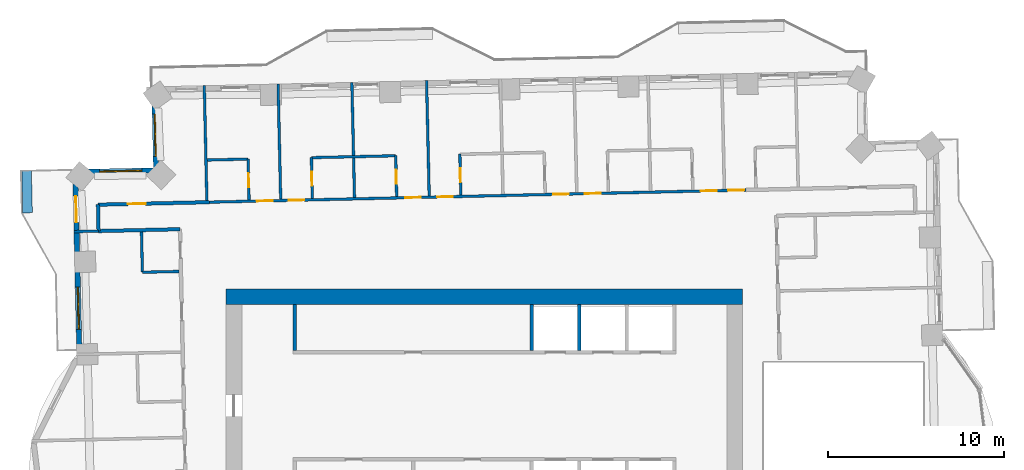
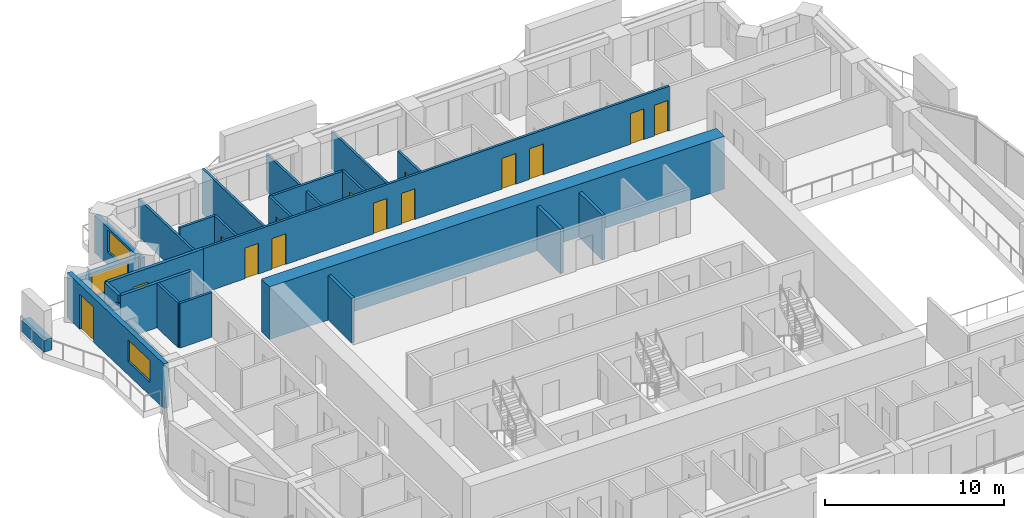
# One storey, part 10 of 16: 25 walls, 14 doors, 3 windows, 17 openings.
"""IFC4 building model written with IfcOpenShell, lengths in metres."""

from ifc_helpers import new_model, si_unit, direction, frame, frame_2d, origin, place, context, subcontext, project, spatial, rectangle, extrude, material, layer, layer_set, type_object, element, fill, save


model = new_model("IFC4")

# Units and contexts
model_context = context("Model", 3, precision=1e-05, world=origin(), true_north=direction((0.0, 1.0)))
body_context = subcontext(model_context, "Body", "Model", "MODEL_VIEW")
ifc_project = project(units=[si_unit("LENGTHUNIT", "METRE"), si_unit("AREAUNIT", "SQUARE_METRE"), si_unit("VOLUMEUNIT", "CUBIC_METRE"), si_unit("PLANEANGLEUNIT", "RADIAN"), si_unit("MASSUNIT", "GRAM", prefix="KILO")], contexts=[model_context])

# Site, building, storey
site_placement = place(None, origin())
site = spatial("IfcSite", under=ifc_project, at=site_placement, CompositionType="ELEMENT")
building_placement = place(site_placement, origin())
building = spatial("IfcBuilding", under=site, at=building_placement, Name="Mangrove Gate Tower", CompositionType="ELEMENT")
storey_placement = place(building_placement, frame((0.0, 0.0, 189.699951171875)))
storey = spatial("IfcBuildingStorey", under=building, at=storey_placement, Name="L48", CompositionType="ELEMENT", Elevation=189.699951171875)

# Walls
ifc_material_1 = material(Name="Concrete C32/40", Category="concrete")
ifc_layer_1 = layer(ifc_material_1, 0.199951171875)
ifc_layer_set_1 = layer_set([ifc_layer_1], Name="Core room wall 200 C32/40")
wall_type_1 = type_object("IfcWallType", Name="Core room wall 200 C32/40", PredefinedType="STANDARD", material=ifc_layer_set_1)
wall_1_placement = place(storey_placement, frame((-10.800048828125, 8.199951171875, 0.0), z_axis=(0.0, 0.0, 1.0), x_axis=(0.0, 1.0, 0.0)))
element("IfcWall", 1, at=wall_1_placement, inside=storey, type_object=wall_type_1, Name="WALL-L48-CORE-25", PredefinedType="STANDARD", context=body_context, shape_type="SweptSolid", body=[
    extrude(rectangle(XDim=2.60009765625, YDim=0.199951171875, at=frame_2d((1.300048828125, 0.0))), origin(), (0.0, 0.0, 1.0), 3.050048828125),
])
ifc_material_2 = material(Name="Concrete C60/75", Category="concrete")
ifc_layer_2 = layer(ifc_material_2, 0.199951171875)
ifc_layer_set_2 = layer_set([ifc_layer_2], Name="Core shaft wall 200 C60/75")
wall_type_2 = type_object("IfcWallType", Name="Core shaft wall 200 C60/75", PredefinedType="SHEAR", material=ifc_layer_set_2)
for number, where, z_axis, x_axis, name in (
    (2, (2.699951171875, 8.199951171875, 0.0), (0.0, 0.0, 1.0), (0.0, 1.0, 0.0), "WALL-L48-CORE-26"),
    (3, (5.39990234375, 8.199951171875, 0.0), (0.0, 0.0, 1.0), (0.0, 1.0, 0.0), "WALL-L48-CORE-27"),
):
    element("IfcWall", number, at=place(storey_placement, frame(where, z_axis=z_axis, x_axis=x_axis)), inside=storey, type_object=wall_type_2, Name=name, PredefinedType="SHEAR", context=body_context, shape_type="SweptSolid", body=[
        extrude(rectangle(XDim=2.60009765625, YDim=0.199951171875, at=frame_2d((1.300048828125, 0.0))), origin(), (0.0, 0.0, 1.0), 3.050048828125),
    ])
ifc_material_3 = material(Name="Concrete C60/75", Category="concrete")
ifc_layer_3 = layer(ifc_material_3, 0.89990234375)
ifc_layer_set_3 = layer_set([ifc_layer_3], Name="Core wall 900 C60/75")
wall_type_3 = type_object("IfcWallType", Name="Core wall 900 C60/75", PredefinedType="SHEAR", material=ifc_layer_set_3)
wall_2_placement = place(storey_placement, frame((-14.699951171875, 11.25, 0.0), z_axis=(0.0, 0.0, 1.0), x_axis=(1.0, 0.0, 0.0)))
element("IfcWall", 4, at=wall_2_placement, inside=storey, type_object=wall_type_3, Name="WALL-L48-CORE-2", PredefinedType="SHEAR", context=body_context, shape_type="SweptSolid", body=[
    extrude(rectangle(XDim=29.39990234375, YDim=0.89990234375, at=frame_2d((14.699951171875, 0.0))), origin(), (0.0, 0.0, 1.0), 3.60009765625),
])
ifc_material_4 = material(Name="Gypsum board on steel stud, EI 60", Category="steel")
ifc_layer_4 = layer(ifc_material_4, 0.199951171875)
ifc_layer_set_4 = layer_set([ifc_layer_4], Name="Corridor wall EI 60")
wall_type_4 = type_object("IfcWallType", Name="Corridor wall EI 60", PredefinedType="PARTITIONING", material=ifc_layer_set_4)
wall_3_placement = place(storey_placement, frame((-21.948974609375, 14.989013671875, 0.0), z_axis=(0.0, 0.0, 1.0), x_axis=(0.999743491588, 0.022648422179, 0.0)))
element("IfcWall", 5, at=wall_3_placement, inside=storey, type_object=wall_type_4, Name="WALL-L48-053", PredefinedType="PARTITIONING", context=body_context, shape_type="SweptSolid", body=[
    extrude(rectangle(XDim=4.63525390625, YDim=0.199951171875, at=frame_2d((2.317626953125, 0.0))), origin(), (0.0, 0.0, 1.0), 3.050048828125),
])
wall_4_placement = place(storey_placement, frame((-21.948974609375, 14.992919921875, 0.0), z_axis=(0.0, 0.0, 1.0), x_axis=(-0.022617910375, 0.999744182344, 0.0)))
element("IfcWall", 6, at=wall_4_placement, inside=storey, type_object=wall_type_4, Name="WALL-L48-056", PredefinedType="PARTITIONING", context=body_context, shape_type="SweptSolid", body=[
    extrude(rectangle(XDim=1.50048828125, YDim=0.199951171875, at=frame_2d((0.750244140625, 0.0))), origin(), (0.0, 0.0, 1.0), 3.050048828125),
])

# Wall, opening, door
wall_5_placement = place(storey_placement, frame((-21.98291015625, 16.489013671875, 0.0), z_axis=(0.0, 0.0, 1.0), x_axis=(0.999744930163, 0.022584831499, 0.0)))
wall_5 = element("IfcWall", 7, at=wall_5_placement, inside=storey, type_object=wall_type_4, Name="WALL-L48-058", PredefinedType="PARTITIONING", context=body_context, shape_type="SweptSolid", body=[
    extrude(rectangle(XDim=6.334716796875, YDim=0.199951171875, at=frame_2d((3.16748046875, 0.0))), origin(), (0.0, 0.0, 1.0), 3.050048828125),
])
opening_1_placement = place(wall_5_placement, frame((1.7060546875, 0.0, 0.0)))
opening_1 = element("IfcOpeningElement", 8, at=opening_1_placement, cuts=wall_5, Name="Opening AD", PredefinedType="OPENING", context=body_context, shape_type="SweptSolid", body=[
    extrude(rectangle(XDim=1.0, YDim=2.10009765625, at=frame_2d((0.5, 1.050048828125))), frame((0.0, 0.10986328125, 0.0), z_axis=(0.0, -1.0, 0.0), x_axis=(1.0, 0.0, 0.0)), (0.0, 0.0, 1.0), 0.219970703125),
])
ifc_material_5 = material(Name="Timber door leaf", Category="wood")
door_type_1 = type_object("IfcDoorType", Name="Amenity door 1000", OperationType="SINGLE_SWING_LEFT", PredefinedType="DOOR", material=ifc_material_5)
door_1_placement = place(opening_1_placement, origin())
door_1 = element("IfcDoor", 9, at=door_1_placement, inside=storey, type_object=door_type_1, Name="DOOR-L48-STU-c5a", OperationType="SINGLE_SWING_LEFT", OverallHeight=2.10009765625, OverallWidth=1.0, PredefinedType="DOOR", context=body_context, shape_type="SweptSolid", body=[
    extrude(rectangle(XDim=1.0, YDim=2.10009765625, at=frame_2d((0.5, 1.050048828125))), frame((0.0, 0.02490234375, 0.0), z_axis=(0.0, -1.0, 0.0), x_axis=(1.0, 0.0, 0.0)), (0.0, 0.0, 1.0), 0.050048828125),
])
fill(opening_1, door_1)

# Wall, opening, window
ifc_material_6 = material(Name="Limestone", Category="masonry")
ifc_layer_5 = layer(ifc_material_6, 0.0400390625, Name="Limestone cladding")
ifc_material_7 = material(Name="Ventilated air gap")
ifc_layer_6 = layer(ifc_material_7, 0.0400390625, Name="Ventilated cavity")
ifc_material_8 = material(Name="Mineral wool insulation")
ifc_layer_7 = layer(ifc_material_8, 0.06005859375, Name="Insulation")
ifc_material_9 = material(Name="Breather membrane")
ifc_layer_8 = layer(ifc_material_9, 0.001953125, Name="Breather membrane")
ifc_material_10 = material(Name="Concrete C20/25 blockwork", Category="masonry")
ifc_layer_9 = layer(ifc_material_10, 0.14990234375, Name="Blockwork backing wall")
ifc_material_11 = material(Name="Gypsum plaster")
ifc_layer_10 = layer(ifc_material_11, 0.008056640625, Name="Internal plaster")
ifc_layer_set_5 = layer_set([ifc_layer_5, ifc_layer_6, ifc_layer_7, ifc_layer_8, ifc_layer_9, ifc_layer_10], Name="External wall 300 limestone cladding")
wall_type_5 = type_object("IfcWallType", Name="External wall 300 limestone cladding", PredefinedType="SOLIDWALL", material=ifc_layer_set_5)
wall_6_placement = place(storey_placement, frame((-18.781005859375, 23.04296875, 0.0), z_axis=(0.0, 0.0, 1.0), x_axis=(0.02274729749, -0.999741246752, 0.0)))
wall_6 = element("IfcWall", 10, at=wall_6_placement, inside=storey, type_object=wall_type_5, Name="WALL-L48-W6s1", PredefinedType="SOLIDWALL", context=body_context, shape_type="SweptSolid", body=[
    extrude(rectangle(XDim=4.92626953125, YDim=0.300048828125, at=frame_2d((2.463134765625, 0.0))), origin(), (0.0, 0.0, 1.0), 2.550048828125),
])
opening_2_placement = place(wall_6_placement, frame((1.403076171875, 0.0, 0.89990234375)))
opening_2 = element("IfcOpeningElement", 11, at=opening_2_placement, cuts=wall_6, Name="Opening W2", PredefinedType="OPENING", context=body_context, shape_type="SweptSolid", body=[
    extrude(rectangle(XDim=2.39990234375, YDim=1.5, at=frame_2d((1.199951171875, 0.75))), frame((0.0, 0.159912109375, 0.0), z_axis=(0.0, -1.0, 0.0), x_axis=(1.0, 0.0, 0.0)), (0.0, 0.0, 1.0), 0.320068359375),
])
ifc_material_12 = material(Name="Aluminium frame with double-glazed low-e glass", Category="aluminium")
window_type = type_object("IfcWindowType", Name="Corner room window 2400x1500", PartitioningType="DOUBLE_PANEL_VERTICAL", PredefinedType="WINDOW", material=ifc_material_12)
window_1_placement = place(opening_2_placement, origin())
window_1 = element("IfcWindow", 12, at=window_1_placement, inside=storey, type_object=window_type, Name="WIN-L48-W6-1", OverallHeight=1.5, OverallWidth=2.39990234375, PartitioningType="DOUBLE_PANEL_VERTICAL", PredefinedType="WINDOW", context=body_context, shape_type="SweptSolid", body=[
    extrude(rectangle(XDim=2.39990234375, YDim=1.5, at=frame_2d((1.199951171875, 0.75))), frame((0.0, 0.030029296875, 0.0), z_axis=(0.0, -1.0, 0.0), x_axis=(1.0, 0.0, 0.0)), (0.0, 0.0, 1.0), 0.06005859375),
])
fill(opening_2, window_1)

wall_7_placement = place(storey_placement, frame((-18.676025390625, 18.444091796875, 0.0), z_axis=(0.0, 0.0, 1.0), x_axis=(-0.999744377441, -0.022609285172, 0.0)))
wall_7 = element("IfcWall", 13, at=wall_7_placement, inside=storey, type_object=wall_type_5, Name="WALL-L48-N7", PredefinedType="SOLIDWALL", context=body_context, shape_type="SweptSolid", body=[
    extrude(rectangle(XDim=4.60009765625, YDim=0.300048828125, at=frame_2d((2.300048828125, 0.0))), origin(), (0.0, 0.0, 1.0), 2.550048828125),
])
opening_3_placement = place(wall_7_placement, frame((0.81298828125, 0.0, 0.89990234375)))
opening_3 = element("IfcOpeningElement", 14, at=opening_3_placement, cuts=wall_7, Name="Opening W2", PredefinedType="OPENING", context=body_context, shape_type="SweptSolid", body=[
    extrude(rectangle(XDim=2.39990234375, YDim=1.5, at=frame_2d((1.199951171875, 0.75))), frame((0.0, 0.159912109375, 0.0), z_axis=(0.0, -1.0, 0.0), x_axis=(1.0, 0.0, 0.0)), (0.0, 0.0, 1.0), 0.320068359375),
])
window_2_placement = place(opening_3_placement, origin())
window_2 = element("IfcWindow", 15, at=window_2_placement, inside=storey, type_object=window_type, Name="WIN-L48-N7-1", OverallHeight=1.5, OverallWidth=2.39990234375, PartitioningType="DOUBLE_PANEL_VERTICAL", PredefinedType="WINDOW", context=body_context, shape_type="SweptSolid", body=[
    extrude(rectangle(XDim=2.39990234375, YDim=1.5, at=frame_2d((1.199951171875, 0.75))), frame((0.0, 0.030029296875, 0.0), z_axis=(0.0, -1.0, 0.0), x_axis=(1.0, 0.0, 0.0)), (0.0, 0.0, 1.0), 0.06005859375),
])
fill(opening_3, window_2)

# Wall, openings, door, window
wall_8_placement = place(storey_placement, frame((-23.27490234375, 18.340087890625, 0.0), z_axis=(0.0, 0.0, 1.0), x_axis=(0.022705985163, -0.999742185885, 0.0)))
wall_8 = element("IfcWall", 16, at=wall_8_placement, inside=storey, type_object=wall_type_5, Name="WALL-L48-W8", PredefinedType="SOLIDWALL", context=body_context, shape_type="SweptSolid", body=[
    extrude(rectangle(XDim=10.4296875, YDim=0.300048828125, at=frame_2d((5.21484375, 0.0))), origin(), (0.0, 0.0, 1.0), 3.050048828125),
])
opening_4_placement = place(wall_8_placement, frame((1.35888671875, 0.0, 0.0)))
opening_4 = element("IfcOpeningElement", 17, at=opening_4_placement, cuts=wall_8, Name="Opening BD1", PredefinedType="OPENING", context=body_context, shape_type="SweptSolid", body=[
    extrude(rectangle(XDim=1.5, YDim=2.39990234375, at=frame_2d((0.75, 1.199951171875))), frame((0.0, 0.159912109375, 0.0), z_axis=(0.0, -1.0, 0.0), x_axis=(1.0, 0.0, 0.0)), (0.0, 0.0, 1.0), 0.320068359375),
])
opening_5_placement = place(wall_8_placement, frame((6.54296875, 0.0, 0.89990234375)))
opening_5 = element("IfcOpeningElement", 18, at=opening_5_placement, cuts=wall_8, Name="Opening W2", PredefinedType="OPENING", context=body_context, shape_type="SweptSolid", body=[
    extrude(rectangle(XDim=2.39990234375, YDim=1.5, at=frame_2d((1.199951171875, 0.75))), frame((0.0, 0.159912109375, 0.0), z_axis=(0.0, -1.0, 0.0), x_axis=(1.0, 0.0, 0.0)), (0.0, 0.0, 1.0), 0.320068359375),
])
ifc_material_13 = material(Name="Aluminium frame with laminated clear glass", Category="aluminium")
door_type_2 = type_object("IfcDoorType", Name="Balcony sliding door 1500x2400", OperationType="SLIDING_TO_LEFT", PredefinedType="DOOR", material=ifc_material_13)
door_2_placement = place(opening_4_placement, origin())
door_2 = element("IfcDoor", 19, at=door_2_placement, inside=storey, type_object=door_type_2, Name="DOOR-L48-W8-1", OperationType="SLIDING_TO_LEFT", OverallHeight=2.39990234375, OverallWidth=1.5, PredefinedType="DOOR", context=body_context, shape_type="SweptSolid", body=[
    extrude(rectangle(XDim=1.5, YDim=2.39990234375, at=frame_2d((0.75, 1.199951171875))), frame((0.0, 0.02490234375, 0.0), z_axis=(0.0, -1.0, 0.0), x_axis=(1.0, 0.0, 0.0)), (0.0, 0.0, 1.0), 0.050048828125),
])
fill(opening_4, door_2)
window_3_placement = place(opening_5_placement, origin())
window_3 = element("IfcWindow", 20, at=window_3_placement, inside=storey, type_object=window_type, Name="WIN-L48-W8-2", OverallHeight=1.5, OverallWidth=2.39990234375, PartitioningType="DOUBLE_PANEL_VERTICAL", PredefinedType="WINDOW", context=body_context, shape_type="SweptSolid", body=[
    extrude(rectangle(XDim=2.39990234375, YDim=1.5, at=frame_2d((1.199951171875, 0.75))), frame((0.0, 0.030029296875, 0.0), z_axis=(0.0, -1.0, 0.0), x_axis=(1.0, 0.0, 0.0)), (0.0, 0.0, 1.0), 0.06005859375),
])
fill(opening_5, window_3)

# Walls
ifc_material_14 = material(Name="Gypsum board on steel stud, EI 60", Category="steel")
ifc_layer_11 = layer(ifc_material_14, 0.14990234375)
ifc_layer_set_6 = layer_set([ifc_layer_11], Name="Party wall 150 EI 60")
wall_type_6 = type_object("IfcWallType", Name="Party wall 150 EI 60", PredefinedType="PARTITIONING", material=ifc_layer_set_6)
wall_9_placement = place(storey_placement, frame((-19.4599609375, 12.64501953125, 0.0), z_axis=(0.0, 0.0, 1.0), x_axis=(0.999737799372, 0.022898307927, 0.0)))
element("IfcWall", 21, at=wall_9_placement, inside=storey, type_object=wall_type_6, Name="WALL-L48-048", PredefinedType="PARTITIONING", context=body_context, shape_type="SweptSolid", body=[
    extrude(rectangle(XDim=2.100341796875, YDim=0.14990234375, at=frame_2d((1.05029296875, 0.0))), origin(), (0.0, 0.0, 1.0), 3.050048828125),
])
wall_10_placement = place(storey_placement, frame((-19.455078125, 12.64892578125, 0.0), z_axis=(0.0, 0.0, 1.0), x_axis=(-0.022603288534, 0.999744513037, 0.0)))
element("IfcWall", 22, at=wall_10_placement, inside=storey, type_object=wall_type_6, Name="WALL-L48-050", PredefinedType="PARTITIONING", context=body_context, shape_type="SweptSolid", body=[
    extrude(rectangle(XDim=2.300537109375, YDim=0.14990234375, at=frame_2d((1.150390625, 0.0))), origin(), (0.0, 0.0, 1.0), 3.050048828125),
])
wall_11_placement = place(storey_placement, frame((-23.347900390625, 14.95703125, 0.0), z_axis=(0.0, 0.0, 1.0), x_axis=(0.999740216184, 0.022792545827, 0.0)))
element("IfcWall", 23, at=wall_11_placement, inside=storey, type_object=wall_type_6, Name="WALL-L48-052", PredefinedType="PARTITIONING", context=body_context, shape_type="SweptSolid", body=[
    extrude(rectangle(XDim=1.403076171875, YDim=0.14990234375, at=frame_2d((0.70166015625, 0.0))), origin(), (0.0, 0.0, 1.0), 2.550048828125),
])

# Wall, openings, doors
wall_12_placement = place(storey_placement, frame((-15.64892578125, 16.633056640625, 0.0), z_axis=(0.0, 0.0, 1.0), x_axis=(0.999743261737, 0.022658565952, 0.0)))
wall_12 = element("IfcWall", 24, at=wall_12_placement, inside=storey, type_object=wall_type_6, Name="WALL-L48-059", PredefinedType="PARTITIONING", context=body_context, shape_type="SweptSolid", body=[
    extrude(rectangle(XDim=30.53564453125, YDim=0.14990234375, at=frame_2d((15.267822265625, 0.0))), origin(), (0.0, 0.0, 1.0), 3.050048828125),
])
opening_6_placement = place(wall_12_placement, frame((29.535888671875, 0.0, 0.0)))
opening_6 = element("IfcOpeningElement", 25, at=opening_6_placement, cuts=wall_12, Name="Opening BD", PredefinedType="OPENING", context=body_context, shape_type="SweptSolid", body=[
    extrude(rectangle(XDim=0.89990234375, YDim=2.10009765625, at=frame_2d((0.449951171875, 1.050048828125))), frame((0.0, 0.0849609375, 0.0), z_axis=(0.0, -1.0, 0.0), x_axis=(1.0, 0.0, 0.0)), (0.0, 0.0, 1.0), 0.169921875),
])
opening_7_placement = place(wall_12_placement, frame((27.965087890625, 0.0, 0.0)))
opening_7 = element("IfcOpeningElement", 26, at=opening_7_placement, cuts=wall_12, Name="Opening BD", PredefinedType="OPENING", context=body_context, shape_type="SweptSolid", body=[
    extrude(rectangle(XDim=0.89990234375, YDim=2.10009765625, at=frame_2d((0.449951171875, 1.050048828125))), frame((0.0, 0.0849609375, 0.0), z_axis=(0.0, -1.0, 0.0), x_axis=(1.0, 0.0, 0.0)), (0.0, 0.0, 1.0), 0.169921875),
])
opening_8_placement = place(wall_12_placement, frame((21.364990234375, 0.0, 0.0)))
opening_8 = element("IfcOpeningElement", 27, at=opening_8_placement, cuts=wall_12, Name="Opening BD", PredefinedType="OPENING", context=body_context, shape_type="SweptSolid", body=[
    extrude(rectangle(XDim=0.89990234375, YDim=2.10009765625, at=frame_2d((0.449951171875, 1.050048828125))), frame((0.0, 0.0849609375, 0.0), z_axis=(0.0, -1.0, 0.0), x_axis=(1.0, 0.0, 0.0)), (0.0, 0.0, 1.0), 0.169921875),
])
opening_9_placement = place(wall_12_placement, frame((19.56494140625, 0.0, 0.0)))
opening_9 = element("IfcOpeningElement", 28, at=opening_9_placement, cuts=wall_12, Name="Opening BD", PredefinedType="OPENING", context=body_context, shape_type="SweptSolid", body=[
    extrude(rectangle(XDim=0.89990234375, YDim=2.10009765625, at=frame_2d((0.449951171875, 1.050048828125))), frame((0.0, 0.0849609375, 0.0), z_axis=(0.0, -1.0, 0.0), x_axis=(1.0, 0.0, 0.0)), (0.0, 0.0, 1.0), 0.169921875),
])
opening_10_placement = place(wall_12_placement, frame((12.965087890625, 0.0, 0.0)))
opening_10 = element("IfcOpeningElement", 29, at=opening_10_placement, cuts=wall_12, Name="Opening BD", PredefinedType="OPENING", context=body_context, shape_type="SweptSolid", body=[
    extrude(rectangle(XDim=0.89990234375, YDim=2.10009765625, at=frame_2d((0.449951171875, 1.050048828125))), frame((0.0, 0.0849609375, 0.0), z_axis=(0.0, -1.0, 0.0), x_axis=(1.0, 0.0, 0.0)), (0.0, 0.0, 1.0), 0.169921875),
])
opening_11_placement = place(wall_12_placement, frame((11.139892578125, 0.0, 0.0)))
opening_11 = element("IfcOpeningElement", 30, at=opening_11_placement, cuts=wall_12, Name="Opening BD", PredefinedType="OPENING", context=body_context, shape_type="SweptSolid", body=[
    extrude(rectangle(XDim=0.89990234375, YDim=2.10009765625, at=frame_2d((0.449951171875, 1.050048828125))), frame((0.0, 0.0849609375, 0.0), z_axis=(0.0, -1.0, 0.0), x_axis=(1.0, 0.0, 0.0)), (0.0, 0.0, 1.0), 0.169921875),
])
opening_12_placement = place(wall_12_placement, frame((4.514892578125, 0.0, 0.0)))
opening_12 = element("IfcOpeningElement", 31, at=opening_12_placement, cuts=wall_12, Name="Opening BD", PredefinedType="OPENING", context=body_context, shape_type="SweptSolid", body=[
    extrude(rectangle(XDim=0.89990234375, YDim=2.10009765625, at=frame_2d((0.449951171875, 1.050048828125))), frame((0.0, 0.0849609375, 0.0), z_axis=(0.0, -1.0, 0.0), x_axis=(1.0, 0.0, 0.0)), (0.0, 0.0, 1.0), 0.169921875),
])
opening_13_placement = place(wall_12_placement, frame((2.715087890625, 0.0, 0.0)))
opening_13 = element("IfcOpeningElement", 32, at=opening_13_placement, cuts=wall_12, Name="Opening BD", PredefinedType="OPENING", context=body_context, shape_type="SweptSolid", body=[
    extrude(rectangle(XDim=0.89990234375, YDim=2.10009765625, at=frame_2d((0.449951171875, 1.050048828125))), frame((0.0, 0.0849609375, 0.0), z_axis=(0.0, -1.0, 0.0), x_axis=(1.0, 0.0, 0.0)), (0.0, 0.0, 1.0), 0.169921875),
])
ifc_material_15 = material(Name="Timber door leaf", Category="wood")
door_type_3 = type_object("IfcDoorType", Name="Bedroom door 900", OperationType="SINGLE_SWING_LEFT", PredefinedType="DOOR", material=ifc_material_15)
door_3_placement = place(opening_6_placement, origin())
door_3 = element("IfcDoor", 33, at=door_3_placement, inside=storey, type_object=door_type_3, Name="DOOR-L48-BED-c308", OperationType="SINGLE_SWING_RIGHT", OverallHeight=2.10009765625, OverallWidth=0.89990234375, PredefinedType="DOOR", context=body_context, shape_type="SweptSolid", body=[
    extrude(rectangle(XDim=0.89990234375, YDim=2.10009765625, at=frame_2d((0.449951171875, 1.050048828125))), frame((0.0, 0.02490234375, 0.0), z_axis=(0.0, -1.0, 0.0), x_axis=(1.0, 0.0, 0.0)), (0.0, 0.0, 1.0), 0.050048828125),
])
fill(opening_6, door_3)
door_4_placement = place(opening_7_placement, origin())
door_4 = element("IfcDoor", 34, at=door_4_placement, inside=storey, type_object=door_type_3, Name="DOOR-L48-BED-c309", OperationType="SINGLE_SWING_LEFT", OverallHeight=2.10009765625, OverallWidth=0.89990234375, PredefinedType="DOOR", context=body_context, shape_type="SweptSolid", body=[
    extrude(rectangle(XDim=0.89990234375, YDim=2.10009765625, at=frame_2d((0.449951171875, 1.050048828125))), frame((0.0, 0.02490234375, 0.0), z_axis=(0.0, -1.0, 0.0), x_axis=(1.0, 0.0, 0.0)), (0.0, 0.0, 1.0), 0.050048828125),
])
fill(opening_7, door_4)
door_5_placement = place(opening_8_placement, origin())
door_5 = element("IfcDoor", 35, at=door_5_placement, inside=storey, type_object=door_type_3, Name="DOOR-L48-BED-c410", OperationType="SINGLE_SWING_RIGHT", OverallHeight=2.10009765625, OverallWidth=0.89990234375, PredefinedType="DOOR", context=body_context, shape_type="SweptSolid", body=[
    extrude(rectangle(XDim=0.89990234375, YDim=2.10009765625, at=frame_2d((0.449951171875, 1.050048828125))), frame((0.0, 0.02490234375, 0.0), z_axis=(0.0, -1.0, 0.0), x_axis=(1.0, 0.0, 0.0)), (0.0, 0.0, 1.0), 0.050048828125),
])
fill(opening_8, door_5)
door_6_placement = place(opening_9_placement, origin())
door_6 = element("IfcDoor", 36, at=door_6_placement, inside=storey, type_object=door_type_3, Name="DOOR-L48-BED-c411", OperationType="SINGLE_SWING_LEFT", OverallHeight=2.10009765625, OverallWidth=0.89990234375, PredefinedType="DOOR", context=body_context, shape_type="SweptSolid", body=[
    extrude(rectangle(XDim=0.89990234375, YDim=2.10009765625, at=frame_2d((0.449951171875, 1.050048828125))), frame((0.0, 0.02490234375, 0.0), z_axis=(0.0, -1.0, 0.0), x_axis=(1.0, 0.0, 0.0)), (0.0, 0.0, 1.0), 0.050048828125),
])
fill(opening_9, door_6)
door_7_placement = place(opening_10_placement, origin())
door_7 = element("IfcDoor", 37, at=door_7_placement, inside=storey, type_object=door_type_3, Name="DOOR-L48-BED-c412", OperationType="SINGLE_SWING_RIGHT", OverallHeight=2.10009765625, OverallWidth=0.89990234375, PredefinedType="DOOR", context=body_context, shape_type="SweptSolid", body=[
    extrude(rectangle(XDim=0.89990234375, YDim=2.10009765625, at=frame_2d((0.449951171875, 1.050048828125))), frame((0.0, 0.02490234375, 0.0), z_axis=(0.0, -1.0, 0.0), x_axis=(1.0, 0.0, 0.0)), (0.0, 0.0, 1.0), 0.050048828125),
])
fill(opening_10, door_7)
door_8_placement = place(opening_11_placement, origin())
door_8 = element("IfcDoor", 38, at=door_8_placement, inside=storey, type_object=door_type_3, Name="DOOR-L48-BED-c513", OperationType="SINGLE_SWING_LEFT", OverallHeight=2.10009765625, OverallWidth=0.89990234375, PredefinedType="DOOR", context=body_context, shape_type="SweptSolid", body=[
    extrude(rectangle(XDim=0.89990234375, YDim=2.10009765625, at=frame_2d((0.449951171875, 1.050048828125))), frame((0.0, 0.02490234375, 0.0), z_axis=(0.0, -1.0, 0.0), x_axis=(1.0, 0.0, 0.0)), (0.0, 0.0, 1.0), 0.050048828125),
])
fill(opening_11, door_8)
door_9_placement = place(opening_12_placement, origin())
door_9 = element("IfcDoor", 39, at=door_9_placement, inside=storey, type_object=door_type_3, Name="DOOR-L48-BED-c514", OperationType="SINGLE_SWING_RIGHT", OverallHeight=2.10009765625, OverallWidth=0.89990234375, PredefinedType="DOOR", context=body_context, shape_type="SweptSolid", body=[
    extrude(rectangle(XDim=0.89990234375, YDim=2.10009765625, at=frame_2d((0.449951171875, 1.050048828125))), frame((0.0, 0.02490234375, 0.0), z_axis=(0.0, -1.0, 0.0), x_axis=(1.0, 0.0, 0.0)), (0.0, 0.0, 1.0), 0.050048828125),
])
fill(opening_12, door_9)
door_10_placement = place(opening_13_placement, origin())
door_10 = element("IfcDoor", 40, at=door_10_placement, inside=storey, type_object=door_type_3, Name="DOOR-L48-BED-c515", OperationType="SINGLE_SWING_LEFT", OverallHeight=2.10009765625, OverallWidth=0.89990234375, PredefinedType="DOOR", context=body_context, shape_type="SweptSolid", body=[
    extrude(rectangle(XDim=0.89990234375, YDim=2.10009765625, at=frame_2d((0.449951171875, 1.050048828125))), frame((0.0, 0.02490234375, 0.0), z_axis=(0.0, -1.0, 0.0), x_axis=(1.0, 0.0, 0.0)), (0.0, 0.0, 1.0), 0.050048828125),
])
fill(opening_13, door_10)

# Wall
wall_13_placement = place(storey_placement, frame((-15.787109375, 16.73291015625, 0.0), z_axis=(0.0, 0.0, 1.0), x_axis=(-0.022667874761, 0.999743050715, 0.0)))
element("IfcWall", 41, at=wall_13_placement, inside=storey, type_object=wall_type_6, Name="WALL-L48-061", PredefinedType="PARTITIONING", context=body_context, shape_type="SweptSolid", body=[
    extrude(rectangle(XDim=6.52685546875, YDim=0.14990234375, at=frame_2d((3.263427734375, 0.0))), origin(), (0.0, 0.0, 1.0), 2.550048828125),
])

# Wall, opening, door
wall_14_placement = place(storey_placement, frame((-13.386962890625, 16.762939453125, 0.0), z_axis=(0.0, 0.0, 1.0), x_axis=(-0.022370700241, 0.999749744571, 0.0)))
wall_14 = element("IfcWall", 42, at=wall_14_placement, inside=storey, type_object=wall_type_6, Name="WALL-L48-062", PredefinedType="PARTITIONING", context=body_context, shape_type="SweptSolid", body=[
    extrude(rectangle(XDim=2.324462890625, YDim=0.14990234375, at=frame_2d((1.162109375, 0.0))), origin(), (0.0, 0.0, 1.0), 3.050048828125),
])
opening_14_placement = place(wall_14_placement, frame((0.72509765625, 0.0, 0.0)))
opening_14 = element("IfcOpeningElement", 43, at=opening_14_placement, cuts=wall_14, Name="Opening ED", PredefinedType="OPENING", context=body_context, shape_type="SweptSolid", body=[
    extrude(rectangle(XDim=0.800048828125, YDim=2.10009765625, at=frame_2d((0.39990234375, 1.050048828125))), frame((0.0, 0.0849609375, 0.0), z_axis=(0.0, -1.0, 0.0), x_axis=(1.0, 0.0, 0.0)), (0.0, 0.0, 1.0), 0.169921875),
])
ifc_material_16 = material(Name="Timber door leaf", Category="wood")
door_type_4 = type_object("IfcDoorType", Name="En-suite door 800", OperationType="SINGLE_SWING_LEFT", PredefinedType="DOOR", material=ifc_material_16)
door_11_placement = place(opening_14_placement, origin())
door_11 = element("IfcDoor", 44, at=door_11_placement, inside=storey, type_object=door_type_4, Name="DOOR-L48-ENS-c515", OperationType="SINGLE_SWING_LEFT", OverallHeight=2.10009765625, OverallWidth=0.800048828125, PredefinedType="DOOR", context=body_context, shape_type="SweptSolid", body=[
    extrude(rectangle(XDim=0.800048828125, YDim=2.10009765625, at=frame_2d((0.39990234375, 1.050048828125))), frame((0.0, 0.02490234375, 0.0), z_axis=(0.0, -1.0, 0.0), x_axis=(1.0, 0.0, 0.0)), (0.0, 0.0, 1.0), 0.050048828125),
])
fill(opening_14, door_11)

# Wall
wall_15_placement = place(storey_placement, frame((-11.5869140625, 16.803955078125, 0.0), z_axis=(0.0, 0.0, 1.0), x_axis=(-0.022771353855, 0.999740699103, 0.0)))
element("IfcWall", 45, at=wall_15_placement, inside=storey, type_object=wall_type_6, Name="WALL-L48-063", PredefinedType="PARTITIONING", context=body_context, shape_type="SweptSolid", body=[
    extrude(rectangle(XDim=6.55078125, YDim=0.14990234375, at=frame_2d((3.275390625, 0.0))), origin(), (0.0, 0.0, 1.0), 3.050048828125),
])

# Wall, opening, door
wall_16_placement = place(storey_placement, frame((-9.7880859375, 16.844970703125, 0.0), z_axis=(0.0, 0.0, 1.0), x_axis=(-0.022370700241, 0.999749744571, 0.0)))
wall_16 = element("IfcWall", 46, at=wall_16_placement, inside=storey, type_object=wall_type_6, Name="WALL-L48-064", PredefinedType="PARTITIONING", context=body_context, shape_type="SweptSolid", body=[
    extrude(rectangle(XDim=2.324462890625, YDim=0.14990234375, at=frame_2d((1.162109375, 0.0))), origin(), (0.0, 0.0, 1.0), 3.050048828125),
])
opening_15_placement = place(wall_16_placement, frame((0.72509765625, 0.0, 0.0)))
opening_15 = element("IfcOpeningElement", 47, at=opening_15_placement, cuts=wall_16, Name="Opening ED", PredefinedType="OPENING", context=body_context, shape_type="SweptSolid", body=[
    extrude(rectangle(XDim=0.800048828125, YDim=2.10009765625, at=frame_2d((0.39990234375, 1.050048828125))), frame((0.0, 0.0849609375, 0.0), z_axis=(0.0, -1.0, 0.0), x_axis=(1.0, 0.0, 0.0)), (0.0, 0.0, 1.0), 0.169921875),
])
door_12_placement = place(opening_15_placement, origin())
door_12 = element("IfcDoor", 48, at=door_12_placement, inside=storey, type_object=door_type_4, Name="DOOR-L48-ENS-c514", OperationType="SINGLE_SWING_RIGHT", OverallHeight=2.10009765625, OverallWidth=0.800048828125, PredefinedType="DOOR", context=body_context, shape_type="SweptSolid", body=[
    extrude(rectangle(XDim=0.800048828125, YDim=2.10009765625, at=frame_2d((0.39990234375, 1.050048828125))), frame((0.0, 0.02490234375, 0.0), z_axis=(0.0, -1.0, 0.0), x_axis=(1.0, 0.0, 0.0)), (0.0, 0.0, 1.0), 0.050048828125),
])
fill(opening_15, door_12)

# Wall
wall_17_placement = place(storey_placement, frame((-7.387939453125, 16.89892578125, 0.0), z_axis=(0.0, 0.0, 1.0), x_axis=(-0.022771353855, 0.999740699103, 0.0)))
element("IfcWall", 49, at=wall_17_placement, inside=storey, type_object=wall_type_6, Name="WALL-L48-065", PredefinedType="PARTITIONING", context=body_context, shape_type="SweptSolid", body=[
    extrude(rectangle(XDim=6.55078125, YDim=0.14990234375, at=frame_2d((3.275390625, 0.0))), origin(), (0.0, 0.0, 1.0), 2.550048828125),
])

# Wall, opening, door
wall_18_placement = place(storey_placement, frame((-4.989013671875, 16.952880859375, 0.0), z_axis=(0.0, 0.0, 1.0), x_axis=(-0.022778632478, 0.99974053329, 0.0)))
wall_18 = element("IfcWall", 50, at=wall_18_placement, inside=storey, type_object=wall_type_6, Name="WALL-L48-066", PredefinedType="PARTITIONING", context=body_context, shape_type="SweptSolid", body=[
    extrude(rectangle(XDim=2.32568359375, YDim=0.14990234375, at=frame_2d((1.162841796875, 0.0))), origin(), (0.0, 0.0, 1.0), 3.050048828125),
])
opening_16_placement = place(wall_18_placement, frame((0.72509765625, 0.0, 0.0)))
opening_16 = element("IfcOpeningElement", 51, at=opening_16_placement, cuts=wall_18, Name="Opening ED", PredefinedType="OPENING", context=body_context, shape_type="SweptSolid", body=[
    extrude(rectangle(XDim=0.800048828125, YDim=2.10009765625, at=frame_2d((0.39990234375, 1.050048828125))), frame((0.0, 0.0849609375, 0.0), z_axis=(0.0, -1.0, 0.0), x_axis=(1.0, 0.0, 0.0)), (0.0, 0.0, 1.0), 0.169921875),
])
door_13_placement = place(opening_16_placement, origin())
door_13 = element("IfcDoor", 52, at=door_13_placement, inside=storey, type_object=door_type_4, Name="DOOR-L48-ENS-c513", OperationType="SINGLE_SWING_LEFT", OverallHeight=2.10009765625, OverallWidth=0.800048828125, PredefinedType="DOOR", context=body_context, shape_type="SweptSolid", body=[
    extrude(rectangle(XDim=0.800048828125, YDim=2.10009765625, at=frame_2d((0.39990234375, 1.050048828125))), frame((0.0, 0.02490234375, 0.0), z_axis=(0.0, -1.0, 0.0), x_axis=(1.0, 0.0, 0.0)), (0.0, 0.0, 1.0), 0.050048828125),
])
fill(opening_16, door_13)

# Wall
wall_19_placement = place(storey_placement, frame((-3.138916015625, 16.9951171875, 0.0), z_axis=(0.0, 0.0, 1.0), x_axis=(-0.022768808803, 0.999740757069, 0.0)))
element("IfcWall", 53, at=wall_19_placement, inside=storey, type_object=wall_type_6, Name="WALL-L48-067", PredefinedType="PARTITIONING", context=body_context, shape_type="SweptSolid", body=[
    extrude(rectangle(XDim=6.551513671875, YDim=0.14990234375, at=frame_2d((3.27587890625, 0.0))), origin(), (0.0, 0.0, 1.0), 2.550048828125),
])

# Wall, opening, door
wall_20_placement = place(storey_placement, frame((-1.340087890625, 17.035888671875, 0.0), z_axis=(0.0, 0.0, 1.0), x_axis=(-0.022778632478, 0.99974053329, 0.0)))
wall_20 = element("IfcWall", 54, at=wall_20_placement, inside=storey, type_object=wall_type_6, Name="WALL-L48-068", PredefinedType="PARTITIONING", context=body_context, shape_type="SweptSolid", body=[
    extrude(rectangle(XDim=2.32568359375, YDim=0.14990234375, at=frame_2d((1.162841796875, 0.0))), origin(), (0.0, 0.0, 1.0), 3.050048828125),
])
opening_17_placement = place(wall_20_placement, frame((0.72509765625, 0.0, 0.0)))
opening_17 = element("IfcOpeningElement", 55, at=opening_17_placement, cuts=wall_20, Name="Opening ED", PredefinedType="OPENING", context=body_context, shape_type="SweptSolid", body=[
    extrude(rectangle(XDim=0.800048828125, YDim=2.10009765625, at=frame_2d((0.39990234375, 1.050048828125))), frame((0.0, 0.0849609375, 0.0), z_axis=(0.0, -1.0, 0.0), x_axis=(1.0, 0.0, 0.0)), (0.0, 0.0, 1.0), 0.169921875),
])
door_14_placement = place(opening_17_placement, origin())
door_14 = element("IfcDoor", 56, at=door_14_placement, inside=storey, type_object=door_type_4, Name="DOOR-L48-ENS-c412", OperationType="SINGLE_SWING_RIGHT", OverallHeight=2.10009765625, OverallWidth=0.800048828125, PredefinedType="DOOR", context=body_context, shape_type="SweptSolid", body=[
    extrude(rectangle(XDim=0.800048828125, YDim=2.10009765625, at=frame_2d((0.39990234375, 1.050048828125))), frame((0.0, 0.02490234375, 0.0), z_axis=(0.0, -1.0, 0.0), x_axis=(1.0, 0.0, 0.0)), (0.0, 0.0, 1.0), 0.050048828125),
])
fill(opening_17, door_14)

# Walls
wall_21_placement = place(storey_placement, frame((-15.763916015625, 19.031005859375, 0.0), z_axis=(0.0, 0.0, 1.0), x_axis=(0.999749954681, 0.022361308448, 0.0)))
element("IfcWall", 57, at=wall_21_placement, inside=storey, type_object=wall_type_6, Name="WALL-L48-078", PredefinedType="PARTITIONING", context=body_context, shape_type="SweptSolid", body=[
    extrude(rectangle(XDim=2.325439453125, YDim=0.14990234375, at=frame_2d((1.16259765625, 0.0))), origin(), (0.0, 0.0, 1.0), 3.050048828125),
])
wall_22_placement = place(storey_placement, frame((-9.840087890625, 19.1650390625, 0.0), z_axis=(0.0, 0.0, 1.0), x_axis=(0.999742596585, 0.02268789488, 0.0)))
element("IfcWall", 58, at=wall_22_placement, inside=storey, type_object=wall_type_6, Name="WALL-L48-079", PredefinedType="PARTITIONING", context=body_context, shape_type="SweptSolid", body=[
    extrude(rectangle(XDim=4.79931640625, YDim=0.14990234375, at=frame_2d((2.399658203125, 0.0))), origin(), (0.0, 0.0, 1.0), 3.050048828125),
])
ifc_material_17 = material(Name="Concrete C32/40", Category="concrete")
ifc_layer_12 = layer(ifc_material_17, 0.199951171875, Name="Planter trough wall")
ifc_material_18 = material(Name="Bituminous waterproofing membrane")
ifc_layer_13 = layer(ifc_material_18, 0.0048828125, Name="Waterproofing")
ifc_material_19 = material(Name="Drainage board and gravel")
ifc_layer_14 = layer(ifc_material_19, 0.044921875, Name="Drainage layer")
ifc_material_20 = material(Name="Planting soil")
ifc_layer_15 = layer(ifc_material_20, 0.300048828125, Name="Growing medium")
ifc_layer_set_7 = layer_set([ifc_layer_12, ifc_layer_13, ifc_layer_14, ifc_layer_15], Name="Planter wall 550 C32/40")
wall_type_7 = type_object("IfcWallType", Name="Planter wall 550 C32/40", PredefinedType="USERDEFINED", material=ifc_layer_set_7)
wall_23_placement = place(storey_placement, frame((-25.988037109375, 16.028076171875, 0.0), z_axis=(0.0, 0.0, 1.0), x_axis=(-0.022892431828, 0.999737933943, 0.0)))
element("IfcWall", 59, at=wall_23_placement, inside=storey, type_object=wall_type_7, Name="PLANTER L48 W0.1", ObjectType="PLANTER", PredefinedType="USERDEFINED", context=body_context, shape_type="SweptSolid", body=[
    extrude(rectangle(XDim=2.399658203125, YDim=0.550048828125, at=frame_2d((1.19970703125, 0.0))), origin(), (0.0, 0.0, 1.0), 0.800048828125),
])

save(model, "model.ifc")
